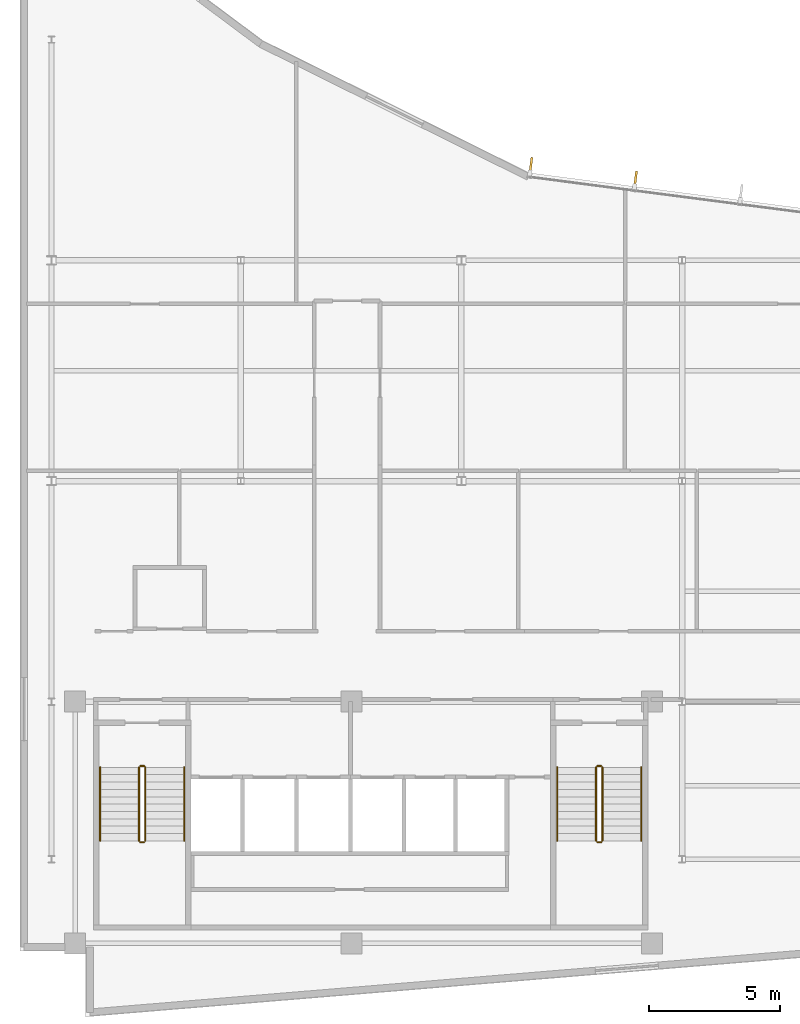
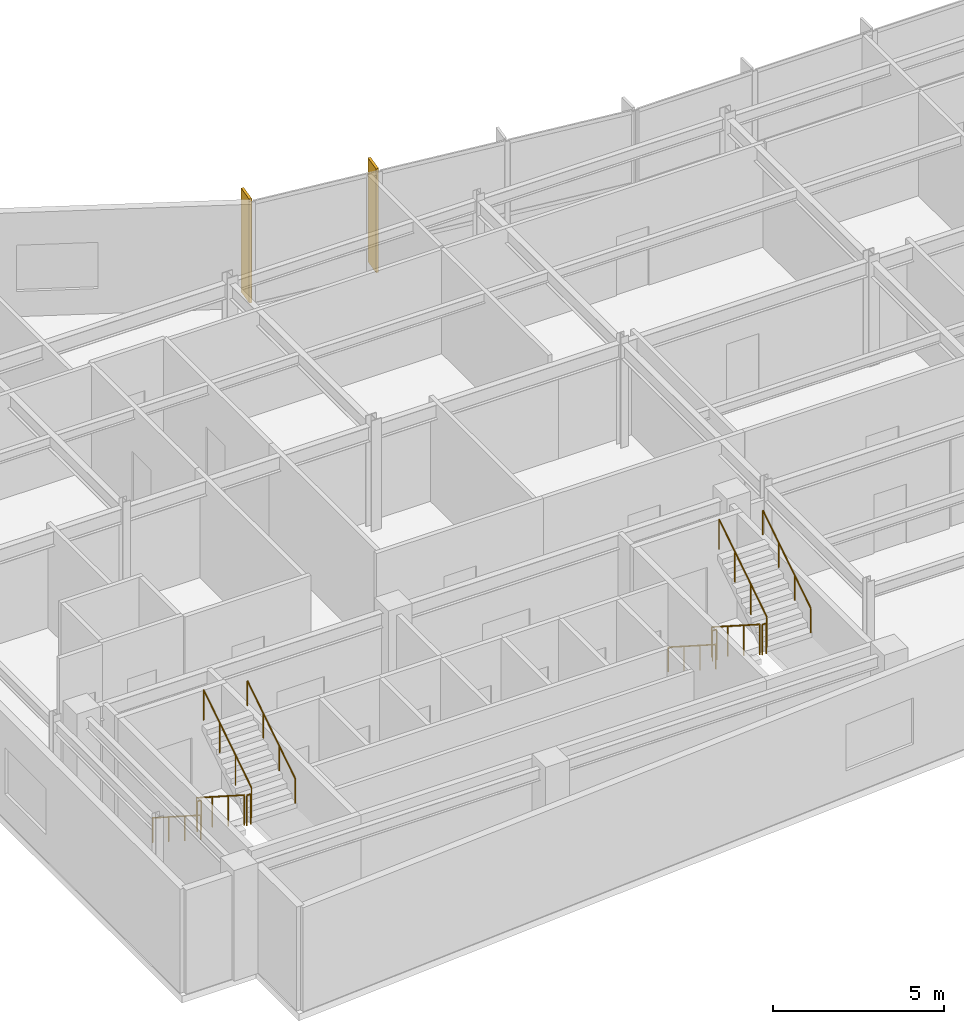
# One storey, part 13 of 15: 12 railings, 2 shading devices.
"""IFC4 building model written with IfcOpenShell, lengths in metres."""

from ifc_helpers import new_model, si_unit, direction, frame, origin, origin_2d, place, context, subcontext, project, spatial, rectangle, circle, extrude, material, layer, layer_set, type_object, element, save


model = new_model("IFC4")

# Units and contexts
model_context = context("Model", 3, precision=1e-05, world=origin(), true_north=direction((0.0, 1.0)))
body_context = subcontext(model_context, "Body", "Model", "MODEL_VIEW")
ifc_project = project(units=[si_unit("LENGTHUNIT", "METRE"), si_unit("AREAUNIT", "SQUARE_METRE"), si_unit("VOLUMEUNIT", "CUBIC_METRE"), si_unit("PLANEANGLEUNIT", "RADIAN"), si_unit("MASSUNIT", "GRAM", prefix="KILO")], contexts=[model_context])

# Site, building, storey
site_placement = place(None, origin())
site = spatial("IfcSite", under=ifc_project, at=site_placement, CompositionType="ELEMENT")
building_placement = place(site_placement, origin())
building = spatial("IfcBuilding", under=site, at=building_placement, Name="Varnakote Quay Hospital", CompositionType="ELEMENT")
storey_placement = place(building_placement, frame((0.0, 0.0, 252.60009765625)))
storey = spatial("IfcBuildingStorey", under=building, at=storey_placement, Name="L62", CompositionType="ELEMENT", Elevation=252.60009765625)

# Railings
ifc_material_1 = material(Name="Brushed stainless steel balustrade", Category="steel")
railing_type_1 = type_object("IfcRailingType", Name="RLG-STAIR-GUARD-1150", PredefinedType="GUARDRAIL", material=ifc_material_1)
railing_1_placement = place(storey_placement, frame((4.530029296875, 9.5, 0.179443359375)))
element("IfcRailing", 1, at=railing_1_placement, inside=storey, type_object=railing_type_1, Name="L62 ST-01 stair guard 1", PredefinedType="GUARDRAIL", context=body_context, shape_type="SweptSolid", body=[
    extrude(circle(Radius=0.02392578125, at=origin_2d()), frame((0.0, 0.0, 1.076171875), z_axis=(0.0, -0.841809871826, 0.539774156196), x_axis=(1.0, 0.0, 0.0)), (0.0, 0.0, 1.0), 3.326171875),
    extrude(circle(Radius=0.02099609375, at=origin_2d()), origin(), (0.0, 0.0, 1.0), 1.052001953125),
    extrude(circle(Radius=0.02099609375, at=origin_2d()), frame((0.0, -0.933349609375, 0.598388671875)), (0.0, 0.0, 1.0), 1.052001953125),
    extrude(circle(Radius=0.02099609375, at=origin_2d()), frame((0.0, -1.86669921875, 1.197021484375)), (0.0, 0.0, 1.0), 1.052001953125),
    extrude(circle(Radius=0.02099609375, at=origin_2d()), frame((0.0, -2.800048828125, 1.79541015625)), (0.0, 0.0, 1.0), 1.052001953125),
])
railing_2_placement = place(storey_placement, frame((4.580078125, 6.64990234375, 1.974853515625)))
element("IfcRailing", 2, at=railing_2_placement, inside=storey, type_object=railing_type_1, Name="L62 ST-01 stair guard 2", PredefinedType="GUARDRAIL", context=body_context, shape_type="SweptSolid", body=[
    extrude(circle(Radius=0.02392578125, at=origin_2d()), frame((0.0, 0.0, 1.076171875), z_axis=(1.0, 0.0, 0.0), x_axis=(0.0, 1.0, 0.0)), (0.0, 0.0, 1.0), 0.139892578125),
    extrude(circle(Radius=0.02099609375, at=origin_2d()), origin(), (0.0, 0.0, 1.0), 1.052001953125),
    extrude(circle(Radius=0.02099609375, at=origin_2d()), frame((0.139892578125, 0.0, 0.0)), (0.0, 0.0, 1.0), 1.052001953125),
])
railing_3_placement = place(storey_placement, frame((4.77001953125, 6.699951171875, 2.154541015625)))
element("IfcRailing", 3, at=railing_3_placement, inside=storey, type_object=railing_type_1, Name="L62 ST-01 stair guard 3", PredefinedType="GUARDRAIL", context=body_context, shape_type="SweptSolid", body=[
    extrude(circle(Radius=0.02392578125, at=origin_2d()), frame((0.0, 0.0, 1.076171875), z_axis=(0.0, 0.841809871826, 0.539774156196), x_axis=(-1.0, 0.0, 0.0)), (0.0, 0.0, 1.0), 3.326171875),
    extrude(circle(Radius=0.02099609375, at=origin_2d()), origin(), (0.0, 0.0, 1.0), 1.052001953125),
    extrude(circle(Radius=0.02099609375, at=origin_2d()), frame((0.0, 0.933349609375, 0.598388671875)), (0.0, 0.0, 1.0), 1.052001953125),
    extrude(circle(Radius=0.02099609375, at=origin_2d()), frame((0.0, 1.86669921875, 1.197021484375)), (0.0, 0.0, 1.0), 1.052001953125),
    extrude(circle(Radius=0.02099609375, at=origin_2d()), frame((0.0, 2.800048828125, 1.79541015625)), (0.0, 0.0, 1.0), 1.052001953125),
])
railing_4_placement = place(storey_placement, frame((4.580078125, 9.550048828125, 0.0)))
element("IfcRailing", 4, at=railing_4_placement, inside=storey, type_object=railing_type_1, Name="L62 ST-01 stair guard 4", PredefinedType="GUARDRAIL", context=body_context, shape_type="SweptSolid", body=[
    extrude(circle(Radius=0.02392578125, at=origin_2d()), frame((0.0, 0.0, 1.076171875), z_axis=(1.0, 0.0, 0.0), x_axis=(0.0, 1.0, 0.0)), (0.0, 0.0, 1.0), 0.139892578125),
    extrude(circle(Radius=0.02099609375, at=origin_2d()), origin(), (0.0, 0.0, 1.0), 1.052001953125),
    extrude(circle(Radius=0.02099609375, at=origin_2d()), frame((0.139892578125, 0.0, 0.0)), (0.0, 0.0, 1.0), 1.052001953125),
])
railing_5_placement = place(storey_placement, frame((21.929931640625, 9.5, 0.179443359375)))
element("IfcRailing", 5, at=railing_5_placement, inside=storey, type_object=railing_type_1, Name="L62 ST-02 stair guard 1", PredefinedType="GUARDRAIL", context=body_context, shape_type="SweptSolid", body=[
    extrude(circle(Radius=0.02392578125, at=origin_2d()), frame((0.0, 0.0, 1.076171875), z_axis=(0.0, -0.841809871826, 0.539774156196), x_axis=(1.0, 0.0, 0.0)), (0.0, 0.0, 1.0), 3.326171875),
    extrude(circle(Radius=0.02099609375, at=origin_2d()), origin(), (0.0, 0.0, 1.0), 1.052001953125),
    extrude(circle(Radius=0.02099609375, at=origin_2d()), frame((0.0, -0.933349609375, 0.598388671875)), (0.0, 0.0, 1.0), 1.052001953125),
    extrude(circle(Radius=0.02099609375, at=origin_2d()), frame((0.0, -1.86669921875, 1.197021484375)), (0.0, 0.0, 1.0), 1.052001953125),
    extrude(circle(Radius=0.02099609375, at=origin_2d()), frame((0.0, -2.800048828125, 1.79541015625)), (0.0, 0.0, 1.0), 1.052001953125),
])
railing_6_placement = place(storey_placement, frame((21.97998046875, 6.64990234375, 1.974853515625)))
element("IfcRailing", 6, at=railing_6_placement, inside=storey, type_object=railing_type_1, Name="L62 ST-02 stair guard 2", PredefinedType="GUARDRAIL", context=body_context, shape_type="SweptSolid", body=[
    extrude(circle(Radius=0.02392578125, at=origin_2d()), frame((0.0, 0.0, 1.076171875), z_axis=(1.0, 0.0, 0.0), x_axis=(0.0, 1.0, 0.0)), (0.0, 0.0, 1.0), 0.14013671875),
    extrude(circle(Radius=0.02099609375, at=origin_2d()), origin(), (0.0, 0.0, 1.0), 1.052001953125),
    extrude(circle(Radius=0.02099609375, at=origin_2d()), frame((0.14013671875, 0.0, 0.0)), (0.0, 0.0, 1.0), 1.052001953125),
])
railing_7_placement = place(storey_placement, frame((22.169921875, 6.699951171875, 2.154541015625)))
element("IfcRailing", 7, at=railing_7_placement, inside=storey, type_object=railing_type_1, Name="L62 ST-02 stair guard 3", PredefinedType="GUARDRAIL", context=body_context, shape_type="SweptSolid", body=[
    extrude(circle(Radius=0.02392578125, at=origin_2d()), frame((0.0, 0.0, 1.076171875), z_axis=(0.0, 0.841809871826, 0.539774156196), x_axis=(-1.0, 0.0, 0.0)), (0.0, 0.0, 1.0), 3.326171875),
    extrude(circle(Radius=0.02099609375, at=origin_2d()), origin(), (0.0, 0.0, 1.0), 1.052001953125),
    extrude(circle(Radius=0.02099609375, at=origin_2d()), frame((0.0, 0.933349609375, 0.598388671875)), (0.0, 0.0, 1.0), 1.052001953125),
    extrude(circle(Radius=0.02099609375, at=origin_2d()), frame((0.0, 1.86669921875, 1.197021484375)), (0.0, 0.0, 1.0), 1.052001953125),
    extrude(circle(Radius=0.02099609375, at=origin_2d()), frame((0.0, 2.800048828125, 1.79541015625)), (0.0, 0.0, 1.0), 1.052001953125),
])
railing_8_placement = place(storey_placement, frame((21.97998046875, 9.550048828125, 0.0)))
element("IfcRailing", 8, at=railing_8_placement, inside=storey, type_object=railing_type_1, Name="L62 ST-02 stair guard 4", PredefinedType="GUARDRAIL", context=body_context, shape_type="SweptSolid", body=[
    extrude(circle(Radius=0.02392578125, at=origin_2d()), frame((0.0, 0.0, 1.076171875), z_axis=(1.0, 0.0, 0.0), x_axis=(0.0, 1.0, 0.0)), (0.0, 0.0, 1.0), 0.14013671875),
    extrude(circle(Radius=0.02099609375, at=origin_2d()), origin(), (0.0, 0.0, 1.0), 1.052001953125),
    extrude(circle(Radius=0.02099609375, at=origin_2d()), frame((0.14013671875, 0.0, 0.0)), (0.0, 0.0, 1.0), 1.052001953125),
])
ifc_material_2 = material(Name="Brushed stainless steel handrail", Category="steel")
railing_type_2 = type_object("IfcRailingType", Name="RLG-STAIR-HND-920", PredefinedType="HANDRAIL", material=ifc_material_2)
railing_9_placement = place(storey_placement, frame((3.050048828125, 9.5, 0.179443359375)))
element("IfcRailing", 9, at=railing_9_placement, inside=storey, type_object=railing_type_2, Name="L62 ST-01 stair handrail 1", PredefinedType="HANDRAIL", context=body_context, shape_type="SweptSolid", body=[
    extrude(circle(Radius=0.02392578125, at=origin_2d()), frame((0.0, 0.0, 0.8759765625), z_axis=(0.0, -0.841809871826, 0.539774156196), x_axis=(1.0, 0.0, 0.0)), (0.0, 0.0, 1.0), 3.326171875),
    extrude(circle(Radius=0.02099609375, at=origin_2d()), origin(), (0.0, 0.0, 1.0), 0.851806640625),
    extrude(circle(Radius=0.02099609375, at=origin_2d()), frame((0.0, -0.933349609375, 0.598388671875)), (0.0, 0.0, 1.0), 0.851806640625),
    extrude(circle(Radius=0.02099609375, at=origin_2d()), frame((0.0, -1.86669921875, 1.197021484375)), (0.0, 0.0, 1.0), 0.851806640625),
    extrude(circle(Radius=0.02099609375, at=origin_2d()), frame((0.0, -2.800048828125, 1.79541015625)), (0.0, 0.0, 1.0), 0.851806640625),
])
railing_10_placement = place(storey_placement, frame((6.25, 6.699951171875, 2.154541015625)))
element("IfcRailing", 10, at=railing_10_placement, inside=storey, type_object=railing_type_2, Name="L62 ST-01 stair handrail 2", PredefinedType="HANDRAIL", context=body_context, shape_type="SweptSolid", body=[
    extrude(circle(Radius=0.02392578125, at=origin_2d()), frame((0.0, 0.0, 0.8759765625), z_axis=(0.0, 0.841809871826, 0.539774156196), x_axis=(-1.0, 0.0, 0.0)), (0.0, 0.0, 1.0), 3.326171875),
    extrude(circle(Radius=0.02099609375, at=origin_2d()), origin(), (0.0, 0.0, 1.0), 0.851806640625),
    extrude(circle(Radius=0.02099609375, at=origin_2d()), frame((0.0, 0.933349609375, 0.598388671875)), (0.0, 0.0, 1.0), 0.851806640625),
    extrude(circle(Radius=0.02099609375, at=origin_2d()), frame((0.0, 1.86669921875, 1.197021484375)), (0.0, 0.0, 1.0), 0.851806640625),
    extrude(circle(Radius=0.02099609375, at=origin_2d()), frame((0.0, 2.800048828125, 1.79541015625)), (0.0, 0.0, 1.0), 0.851806640625),
])
railing_11_placement = place(storey_placement, frame((20.449951171875, 9.5, 0.179443359375)))
element("IfcRailing", 11, at=railing_11_placement, inside=storey, type_object=railing_type_2, Name="L62 ST-02 stair handrail 1", PredefinedType="HANDRAIL", context=body_context, shape_type="SweptSolid", body=[
    extrude(circle(Radius=0.02392578125, at=origin_2d()), frame((0.0, 0.0, 0.8759765625), z_axis=(0.0, -0.841809871826, 0.539774156196), x_axis=(1.0, 0.0, 0.0)), (0.0, 0.0, 1.0), 3.326171875),
    extrude(circle(Radius=0.02099609375, at=origin_2d()), origin(), (0.0, 0.0, 1.0), 0.851806640625),
    extrude(circle(Radius=0.02099609375, at=origin_2d()), frame((0.0, -0.933349609375, 0.598388671875)), (0.0, 0.0, 1.0), 0.851806640625),
    extrude(circle(Radius=0.02099609375, at=origin_2d()), frame((0.0, -1.86669921875, 1.197021484375)), (0.0, 0.0, 1.0), 0.851806640625),
    extrude(circle(Radius=0.02099609375, at=origin_2d()), frame((0.0, -2.800048828125, 1.79541015625)), (0.0, 0.0, 1.0), 0.851806640625),
])
railing_12_placement = place(storey_placement, frame((23.64990234375, 6.699951171875, 2.154541015625)))
element("IfcRailing", 12, at=railing_12_placement, inside=storey, type_object=railing_type_2, Name="L62 ST-02 stair handrail 2", PredefinedType="HANDRAIL", context=body_context, shape_type="SweptSolid", body=[
    extrude(circle(Radius=0.02392578125, at=origin_2d()), frame((0.0, 0.0, 0.8759765625), z_axis=(0.0, 0.841809871826, 0.539774156196), x_axis=(-1.0, 0.0, 0.0)), (0.0, 0.0, 1.0), 3.326171875),
    extrude(circle(Radius=0.02099609375, at=origin_2d()), origin(), (0.0, 0.0, 1.0), 0.851806640625),
    extrude(circle(Radius=0.02099609375, at=origin_2d()), frame((0.0, 0.933349609375, 0.598388671875)), (0.0, 0.0, 1.0), 0.851806640625),
    extrude(circle(Radius=0.02099609375, at=origin_2d()), frame((0.0, 1.86669921875, 1.197021484375)), (0.0, 0.0, 1.0), 0.851806640625),
    extrude(circle(Radius=0.02099609375, at=origin_2d()), frame((0.0, 2.800048828125, 1.79541015625)), (0.0, 0.0, 1.0), 0.851806640625),
])

# Shading devices
ifc_material_3 = material(Name="Anodised aluminium 6063-T6 Bronze", Category="aluminium")
ifc_layer = layer(ifc_material_3, 0.0849609375)
ifc_layer_set = layer_set([ifc_layer], Name="Anodised aluminium 6063-T6 Bronze")
shading_device_type = type_object("IfcShadingDeviceType", Name="SHD-BRONZE-FIN-620", PredefinedType="USERDEFINED", material=ifc_layer_set)
for number, where, z_axis, x_axis, name in (
    (13, (23.43115234375, 31.8974609375, 0.0), (0.0, 0.0, 1.0), (-0.128795596578, -0.991671162383, 0.0), "L62 Anodised Bronze Vertical Shading FIN"),
    (14, (19.447021484375, 32.414794921875, 0.0), (0.0, 0.0, 1.0), (-0.128795596578, -0.991671162383, 0.0), "L62 Anodised Bronze Vertical Shading FIN"),
):
    element("IfcShadingDevice", number, at=place(storey_placement, frame(where, z_axis=z_axis, x_axis=x_axis)), inside=storey, type_object=shading_device_type, Name=name, ObjectType="FIN", PredefinedType="USERDEFINED", context=body_context, shape_type="SweptSolid", body=[
        extrude(rectangle(XDim=0.6201171875, YDim=0.0849609375, at=origin_2d()), origin(), (0.0, 0.0, 1.0), 3.7099609375),
    ])

save(model, "model.ifc")
